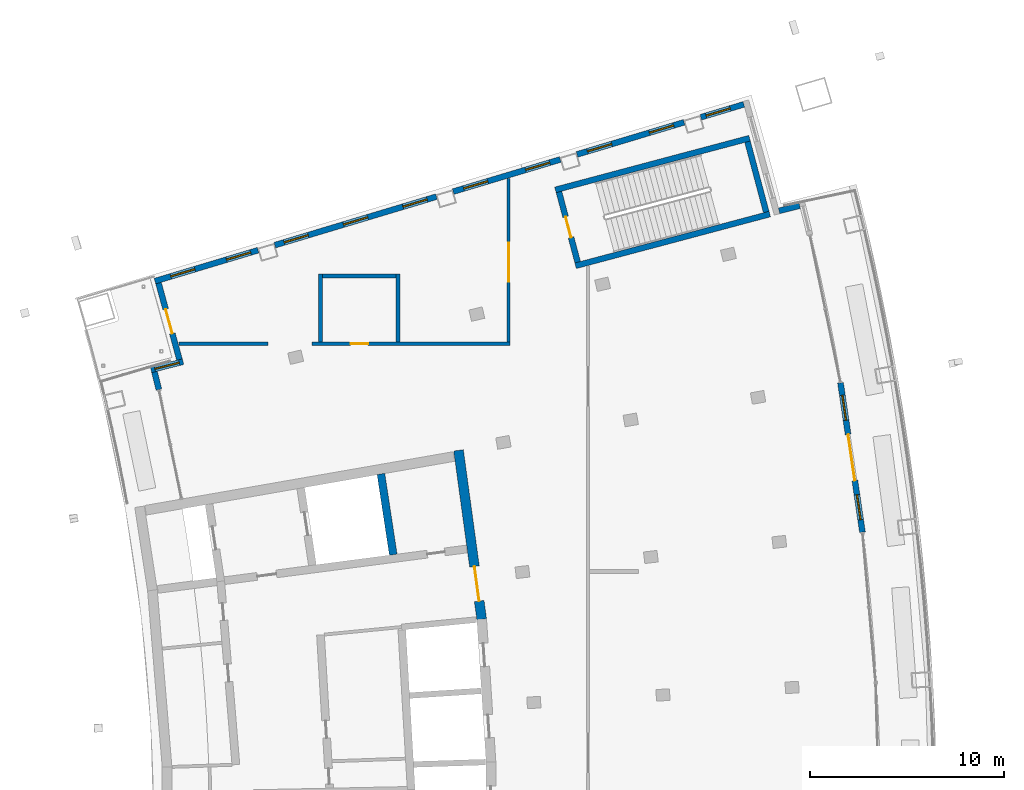
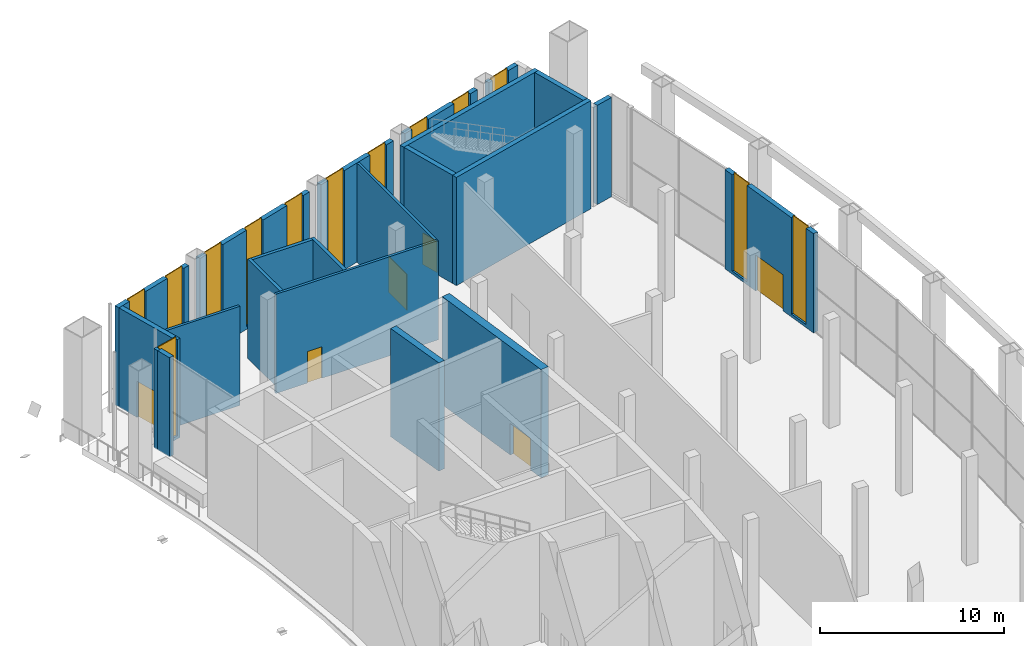
# One storey, part 16 of 25: 22 walls, 13 windows, 6 doors, 19 openings.
"""IFC4 building model written with IfcOpenShell, lengths in metres."""

from ifc_helpers import new_model, si_unit, direction, frame, frame_2d, origin, place, context, subcontext, project, spatial, rectangle, extrude, material, layer, layer_set, type_object, element, fill, save


model = new_model("IFC4")

# Units and contexts
model_context = context("Model", 3, precision=1e-05, world=origin(), true_north=direction((0.0, 1.0)))
body_context = subcontext(model_context, "Body", "Model", "MODEL_VIEW")
ifc_project = project(units=[si_unit("LENGTHUNIT", "METRE"), si_unit("AREAUNIT", "SQUARE_METRE"), si_unit("VOLUMEUNIT", "CUBIC_METRE"), si_unit("PLANEANGLEUNIT", "RADIAN"), si_unit("MASSUNIT", "GRAM", prefix="KILO")], contexts=[model_context])

# Site, building, storey
site_placement = place(None, origin())
site = spatial("IfcSite", under=ifc_project, at=site_placement, CompositionType="ELEMENT")
building_placement = place(site_placement, origin())
building = spatial("IfcBuilding", under=site, at=building_placement, Name="Alderwake Tower", CompositionType="ELEMENT")
storey_placement = place(building_placement, frame((0.0, 0.0, 288.800048828125)))
storey = spatial("IfcBuildingStorey", under=building, at=storey_placement, Name="L72", CompositionType="ELEMENT", Elevation=288.800048828125)

# Wall, opening, door
ifc_material_1 = material(Name="Concrete C70/85", Category="concrete")
ifc_layer_1 = layer(ifc_material_1, 0.5)
ifc_layer_set_1 = layer_set([ifc_layer_1], Name="Core wall outer 500 C70-85")
wall_type_1 = type_object("IfcWallType", Name="Core wall outer 500 C70-85", PredefinedType="SHEAR", material=ifc_layer_set_1)
wall_1_placement = place(storey_placement, frame((31.71728515625, 80.752685546875, 0.0), z_axis=(0.0, 0.0, 1.0), x_axis=(0.1358539401, -0.990728876615, 0.0)))
wall_1 = element("IfcWall", 1, at=wall_1_placement, inside=storey, type_object=wall_type_1, Name="Core wall CW.019", PredefinedType="SHEAR", context=body_context, shape_type="SweptSolid", body=[
    extrude(rectangle(XDim=8.794921875, YDim=0.5, at=frame_2d((4.3974609375, 0.0))), origin(), (0.0, 0.0, 1.0), 7.199951171875),
])
opening_1_placement = place(wall_1_placement, frame((6.0419921875, 0.0, 0.0)))
opening_1 = element("IfcOpeningElement", 2, at=opening_1_placement, cuts=wall_1, Name="Opening C001", PredefinedType="OPENING", context=body_context, shape_type="SweptSolid", body=[
    extrude(rectangle(XDim=1.800048828125, YDim=2.10009765625, at=frame_2d((0.89990234375, 1.050048828125))), frame((0.0, 0.260009765625, 0.0), z_axis=(0.0, -1.0, 0.0), x_axis=(1.0, 0.0, 0.0)), (0.0, 0.0, 1.0), 0.52001953125),
])
ifc_material_2 = material(Name="Steel-framed fire door leaves", Category="steel")
door_type_1 = type_object("IfcDoorType", Name="Core double door 1800 fire-rated", OperationType="DOUBLE_DOOR_SINGLE_SWING", PredefinedType="DOOR", material=ifc_material_2)
door_1_placement = place(opening_1_placement, origin())
door_1 = element("IfcDoor", 3, at=door_1_placement, inside=storey, type_object=door_type_1, Name="Lobby double door", OperationType="DOUBLE_DOOR_SINGLE_SWING", OverallHeight=2.10009765625, OverallWidth=1.800048828125, PredefinedType="DOOR", context=body_context, shape_type="SweptSolid", body=[
    extrude(rectangle(XDim=1.800048828125, YDim=2.10009765625, at=frame_2d((0.89990234375, 1.050048828125))), frame((0.0, 0.02490234375, 0.0), z_axis=(0.0, -1.0, 0.0), x_axis=(1.0, 0.0, 0.0)), (0.0, 0.0, 1.0), 0.050048828125),
])
fill(opening_1, door_1)

# Walls
ifc_material_3 = material(Name="Concrete C70/85", Category="concrete")
ifc_layer_2 = layer(ifc_material_3, 0.39990234375)
ifc_layer_set_2 = layer_set([ifc_layer_2], Name="Core wall spine 400 C70-85")
wall_type_2 = type_object("IfcWallType", Name="Core wall spine 400 C70-85", PredefinedType="SHEAR", material=ifc_layer_set_2)
wall_2_placement = place(storey_placement, frame((28.350830078125, 75.373291015625, 0.0), z_axis=(0.0, 0.0, 1.0), x_axis=(-0.150576223774, 0.988598402201, 0.0)))
element("IfcWall", 4, at=wall_2_placement, inside=storey, type_object=wall_type_2, Name="Core wall CW.001", PredefinedType="SHEAR", context=body_context, shape_type="SweptSolid", body=[
    extrude(rectangle(XDim=4.21240234375, YDim=0.39990234375, at=frame_2d((2.106201171875, 0.0))), origin(), (0.0, 0.0, 1.0), 7.199951171875),
])
ifc_material_4 = material(Name="Concrete C70/85", Category="concrete")
ifc_layer_3 = layer(ifc_material_4, 0.300048828125)
ifc_layer_set_3 = layer_set([ifc_layer_3], Name="Core wall stair enclosure 300 C70-85")
wall_type_3 = type_object("IfcWallType", Name="Core wall stair enclosure 300 C70-85", PredefinedType="SHEAR", material=ifc_layer_set_3)
for number, where, z_axis, x_axis, name in (
    (5, (36.71142578125, 94.182373046875, 0.0), (0.0, 0.0, 1.0), (0.966309214305, 0.257383958996, 0.0), "Core wall CW.082"),
    (6, (37.75390625, 90.268798828125, 0.0), (0.0, 0.0, 1.0), (0.966309214305, 0.257383958996, 0.0), "Core wall CW.084"),
):
    element("IfcWall", number, at=place(storey_placement, frame(where, z_axis=z_axis, x_axis=x_axis)), inside=storey, type_object=wall_type_3, Name=name, PredefinedType="SHEAR", context=body_context, shape_type="SweptSolid", body=[
        extrude(rectangle(XDim=10.360107421875, YDim=0.300048828125, at=frame_2d((5.18017578125, 0.0))), origin(), (0.0, 0.0, 1.0), 7.199951171875),
    ])

# Wall, opening, door
wall_3_placement = place(storey_placement, frame((37.8603515625, 90.452392578125, 0.0), z_axis=(0.0, 0.0, 1.0), x_axis=(-0.257411420208, 0.966301899381, 0.0)))
wall_3 = element("IfcWall", 7, at=wall_3_placement, inside=storey, type_object=wall_type_3, Name="Core wall CW.083", PredefinedType="SHEAR", context=body_context, shape_type="SweptSolid", body=[
    extrude(rectangle(XDim=3.750244140625, YDim=0.300048828125, at=frame_2d((1.875, 0.0))), origin(), (0.0, 0.0, 1.0), 7.199951171875),
])
opening_2_placement = place(wall_3_placement, frame((1.324951171875, 0.0, 0.0)))
opening_2 = element("IfcOpeningElement", 8, at=opening_2_placement, cuts=wall_3, Name="Opening C062", PredefinedType="OPENING", context=body_context, shape_type="SweptSolid", body=[
    extrude(rectangle(XDim=1.10009765625, YDim=2.10009765625, at=frame_2d((0.550048828125, 1.050048828125))), frame((0.0, 0.159912109375, 0.0), z_axis=(0.0, -1.0, 0.0), x_axis=(1.0, 0.0, 0.0)), (0.0, 0.0, 1.0), 0.320068359375),
])
ifc_material_5 = material(Name="Steel-framed fire door leaf", Category="steel")
door_type_2 = type_object("IfcDoorType", Name="Core stair door 1100 fire-rated", OperationType="SINGLE_SWING_LEFT", PredefinedType="DOOR", material=ifc_material_5)
door_2_placement = place(opening_2_placement, origin())
door_2 = element("IfcDoor", 9, at=door_2_placement, inside=storey, type_object=door_type_2, Name="Stair door", OperationType="SINGLE_SWING_RIGHT", OverallHeight=2.10009765625, OverallWidth=1.10009765625, PredefinedType="DOOR", context=body_context, shape_type="SweptSolid", body=[
    extrude(rectangle(XDim=1.10009765625, YDim=2.10009765625, at=frame_2d((0.550048828125, 1.050048828125))), frame((0.0, 0.02490234375, 0.0), z_axis=(0.0, -1.0, 0.0), x_axis=(1.0, 0.0, 0.0)), (0.0, 0.0, 1.0), 0.050048828125),
])
fill(opening_2, door_2)

# Walls
wall_4_placement = place(storey_placement, frame((47.581298828125, 93.041748046875, 0.0), z_axis=(0.0, 0.0, 1.0), x_axis=(-0.257366821694, 0.966313778796, 0.0)))
element("IfcWall", 10, at=wall_4_placement, inside=storey, type_object=wall_type_3, Name="Core wall CW.081", PredefinedType="SHEAR", context=body_context, shape_type="SweptSolid", body=[
    extrude(rectangle(XDim=3.749755859375, YDim=0.300048828125, at=frame_2d((1.875, 0.0))), origin(), (0.0, 0.0, 1.0), 7.199951171875),
])
ifc_material_6 = material(Name="Gypsum board on metal studs, rated")
ifc_layer_4 = layer(ifc_material_6, 0.159912109375)
ifc_layer_set_4 = layer_set([ifc_layer_4], Name="Corridor wall 160")
wall_type_4 = type_object("IfcWallType", Name="Corridor wall 160", PredefinedType="PARTITIONING", material=ifc_layer_set_4)
wall_5_placement = place(storey_placement, frame((21.89111328125, 86.25, 0.0), z_axis=(0.0, 0.0, 1.0), x_axis=(-1.0, 0.0, 0.0)))
element("IfcWall", 11, at=wall_5_placement, inside=storey, type_object=wall_type_4, Name="WL/L72/W10", PredefinedType="PARTITIONING", context=body_context, shape_type="SweptSolid", body=[
    extrude(rectangle(XDim=4.59716796875, YDim=0.159912109375, at=frame_2d((2.298583984375, 0.0))), origin(), (0.0, 0.0, 1.0), 6.599853515625),
])

# Wall, opening, door
wall_6_placement = place(storey_placement, frame((34.37890625, 86.25, 0.0), z_axis=(0.0, 0.0, 1.0), x_axis=(-1.0, 0.0, 0.0)))
wall_6 = element("IfcWall", 12, at=wall_6_placement, inside=storey, type_object=wall_type_4, Name="WL/L72/W13", PredefinedType="PARTITIONING", context=body_context, shape_type="SweptSolid", body=[
    extrude(rectangle(XDim=10.225830078125, YDim=0.159912109375, at=frame_2d((5.11279296875, 0.0))), origin(), (0.0, 0.0, 1.0), 6.599853515625),
])
opening_3_placement = place(wall_6_placement, frame((7.3291015625, 0.0, 0.0)))
opening_3 = element("IfcOpeningElement", 13, at=opening_3_placement, cuts=wall_6, Name="Opening L72-09", PredefinedType="OPENING", context=body_context, shape_type="SweptSolid", body=[
    extrude(rectangle(XDim=0.89990234375, YDim=2.10009765625, at=frame_2d((0.449951171875, 1.050048828125))), frame((0.0, 0.08984375, 0.0), z_axis=(0.0, -1.0, 0.0), x_axis=(1.0, 0.0, 0.0)), (0.0, 0.0, 1.0), 0.179931640625),
])
ifc_material_7 = material(Name="Painted timber leaf", Category="wood")
door_type_3 = type_object("IfcDoorType", Name="Room door 900", OperationType="SINGLE_SWING_LEFT", PredefinedType="DOOR", material=ifc_material_7)
door_3_placement = place(opening_3_placement, origin())
door_3 = element("IfcDoor", 14, at=door_3_placement, inside=storey, type_object=door_type_3, Name="DR/L72/09", OperationType="SINGLE_SWING_LEFT", OverallHeight=2.10009765625, OverallWidth=0.89990234375, PredefinedType="DOOR", context=body_context, shape_type="SweptSolid", body=[
    extrude(rectangle(XDim=0.89990234375, YDim=2.10009765625, at=frame_2d((0.449951171875, 1.050048828125))), frame((0.0, 0.02490234375, 0.0), z_axis=(0.0, -1.0, 0.0), x_axis=(1.0, 0.0, 0.0)), (0.0, 0.0, 1.0), 0.050048828125),
])
fill(opening_3, door_3)

wall_7_placement = place(storey_placement, frame((34.299072265625, 94.77392578125, 0.0), z_axis=(0.0, 0.0, 1.0), x_axis=(0.0, -1.0, 0.0)))
wall_7 = element("IfcWall", 15, at=wall_7_placement, inside=storey, type_object=wall_type_4, Name="WL/L72/W14", PredefinedType="PARTITIONING", context=body_context, shape_type="SweptSolid", body=[
    extrude(rectangle(XDim=8.44384765625, YDim=0.159912109375, at=frame_2d((4.221923828125, 0.0))), origin(), (0.0, 0.0, 1.0), 6.599853515625),
])
opening_4_placement = place(wall_7_placement, frame((3.329833984375, 0.0, 0.0)))
opening_4 = element("IfcOpeningElement", 16, at=opening_4_placement, cuts=wall_7, Name="Opening L72-04", PredefinedType="OPENING", context=body_context, shape_type="SweptSolid", body=[
    extrude(rectangle(XDim=2.0, YDim=2.39990234375, at=frame_2d((1.0, 1.199951171875))), frame((0.0, 0.08984375, 0.0), z_axis=(0.0, -1.0, 0.0), x_axis=(1.0, 0.0, 0.0)), (0.0, 0.0, 1.0), 0.179931640625),
])
ifc_material_8 = material(Name="Timber leaves with glazed panels", Category="wood")
door_type_4 = type_object("IfcDoorType", Name="Hall double door 2000", OperationType="DOUBLE_DOOR_SINGLE_SWING", PredefinedType="DOOR", material=ifc_material_8)
door_4_placement = place(opening_4_placement, origin())
door_4 = element("IfcDoor", 17, at=door_4_placement, inside=storey, type_object=door_type_4, Name="DR/L72/04", OperationType="DOUBLE_DOOR_SINGLE_SWING", OverallHeight=2.39990234375, OverallWidth=2.0, PredefinedType="DOOR", context=body_context, shape_type="SweptSolid", body=[
    extrude(rectangle(XDim=2.0, YDim=2.39990234375, at=frame_2d((1.0, 1.199951171875))), frame((0.0, 0.02490234375, 0.0), z_axis=(0.0, -1.0, 0.0), x_axis=(1.0, 0.0, 0.0)), (0.0, 0.0, 1.0), 0.050048828125),
])
fill(opening_4, door_4)

# Wall
ifc_material_9 = material(Name="Precast concrete C50/60 spandrel panel", Category="concrete")
ifc_layer_5 = layer(ifc_material_9, 0.300048828125)
ifc_layer_set_5 = layer_set([ifc_layer_5], Name="External wall EW1 Precast concrete C50/60 spandrel")
wall_type_5 = type_object("IfcWallType", Name="External wall EW1 Precast concrete C50/60 spandrel", PredefinedType="SOLIDWALL", material=ifc_layer_set_5)
wall_8_placement = place(storey_placement, frame((16.043701171875, 84.795166015625, 0.0), z_axis=(0.0, 0.0, 1.0), x_axis=(0.238511880711, -0.971139579442, 0.0)))
element("IfcWall", 18, at=wall_8_placement, inside=storey, type_object=wall_type_5, Name="External wall 2", PredefinedType="SOLIDWALL", context=body_context, shape_type="SweptSolid", body=[
    extrude(rectangle(XDim=0.942626953125, YDim=0.300048828125, at=frame_2d((0.47119140625, 0.0))), origin(), (0.0, 0.0, 1.0), 6.599853515625),
])

# Wall, openings, door, windows
wall_9_placement = place(storey_placement, frame((52.54296875, 76.532470703125, 0.0), z_axis=(0.0, 0.0, 1.0), x_axis=(-0.145300810995, 0.989387524848, 0.0)))
wall_9 = element("IfcWall", 19, at=wall_9_placement, inside=storey, type_object=wall_type_5, Name="External wall 16", PredefinedType="SOLIDWALL", context=body_context, shape_type="SweptSolid", body=[
    extrude(rectangle(XDim=7.7861328125, YDim=0.300048828125, at=frame_2d((3.89306640625, 0.0))), origin(), (0.0, 0.0, 1.0), 6.599853515625),
])
opening_5_placement = place(wall_9_placement, frame((0.647705078125, 0.0, 0.199951171875)))
opening_5 = element("IfcOpeningElement", 20, at=opening_5_placement, cuts=wall_9, Name="Opening W5", PredefinedType="OPENING", context=body_context, shape_type="SweptSolid", body=[
    extrude(rectangle(XDim=1.300048828125, YDim=6.5, at=frame_2d((0.64990234375, 3.25))), frame((0.0, 0.159912109375, 0.0), z_axis=(0.0, -1.0, 0.0), x_axis=(1.0, 0.0, 0.0)), (0.0, 0.0, 1.0), 0.320068359375),
])
opening_6_placement = place(wall_9_placement, frame((2.693115234375, 0.0, 0.0)))
opening_6 = element("IfcOpeningElement", 21, at=opening_6_placement, cuts=wall_9, Name="Opening D04", PredefinedType="OPENING", context=body_context, shape_type="SweptSolid", body=[
    extrude(rectangle(XDim=2.39990234375, YDim=2.39990234375, at=frame_2d((1.199951171875, 1.199951171875))), frame((0.0, 0.159912109375, 0.0), z_axis=(0.0, -1.0, 0.0), x_axis=(1.0, 0.0, 0.0)), (0.0, 0.0, 1.0), 0.320068359375),
])
opening_7_placement = place(wall_9_placement, frame((5.838623046875, 0.0, 0.199951171875)))
opening_7 = element("IfcOpeningElement", 22, at=opening_7_placement, cuts=wall_9, Name="Opening W5", PredefinedType="OPENING", context=body_context, shape_type="SweptSolid", body=[
    extrude(rectangle(XDim=1.300048828125, YDim=6.5, at=frame_2d((0.64990234375, 3.25))), frame((0.0, 0.159912109375, 0.0), z_axis=(0.0, -1.0, 0.0), x_axis=(1.0, 0.0, 0.0)), (0.0, 0.0, 1.0), 0.320068359375),
])
ifc_material_10 = material(Name="Bronze tinted glass in aluminium frame", Category="aluminium")
door_type_5 = type_object("IfcDoorType", Name="Garden door GD sliding", OperationType="DOUBLE_DOOR_SINGLE_SWING", PredefinedType="DOOR", material=ifc_material_10)
door_5_placement = place(opening_6_placement, origin())
door_5 = element("IfcDoor", 23, at=door_5_placement, inside=storey, type_object=door_type_5, Name="Door D04", OperationType="DOUBLE_DOOR_SINGLE_SWING", OverallHeight=2.39990234375, OverallWidth=2.39990234375, PredefinedType="DOOR", context=body_context, shape_type="SweptSolid", body=[
    extrude(rectangle(XDim=2.39990234375, YDim=2.39990234375, at=frame_2d((1.199951171875, 1.199951171875))), frame((0.0, 0.02490234375, 0.0), z_axis=(0.0, -1.0, 0.0), x_axis=(1.0, 0.0, 0.0)), (0.0, 0.0, 1.0), 0.050048828125),
])
fill(opening_6, door_5)
ifc_material_11 = material(Name="Bronze tinted glass in aluminium frame", Category="aluminium")
window_type = type_object("IfcWindowType", Name="Window W5 garden floor tall", PartitioningType="SINGLE_PANEL", PredefinedType="WINDOW", material=ifc_material_11)
window_1_placement = place(opening_5_placement, origin())
window_1 = element("IfcWindow", 24, at=window_1_placement, inside=storey, type_object=window_type, Name="Window W5 garden floor tall", OverallHeight=6.5, OverallWidth=1.300048828125, PartitioningType="SINGLE_PANEL", PredefinedType="WINDOW", context=body_context, shape_type="SweptSolid", body=[
    extrude(rectangle(XDim=1.300048828125, YDim=6.5, at=frame_2d((0.64990234375, 3.25))), frame((0.0, 0.030029296875, 0.0), z_axis=(0.0, -1.0, 0.0), x_axis=(1.0, 0.0, 0.0)), (0.0, 0.0, 1.0), 0.06005859375),
])
fill(opening_5, window_1)
window_2_placement = place(opening_7_placement, origin())
window_2 = element("IfcWindow", 25, at=window_2_placement, inside=storey, type_object=window_type, Name="Window W5 garden floor tall", OverallHeight=6.5, OverallWidth=1.300048828125, PartitioningType="SINGLE_PANEL", PredefinedType="WINDOW", context=body_context, shape_type="SweptSolid", body=[
    extrude(rectangle(XDim=1.300048828125, YDim=6.5, at=frame_2d((0.64990234375, 3.25))), frame((0.0, 0.030029296875, 0.0), z_axis=(0.0, -1.0, 0.0), x_axis=(1.0, 0.0, 0.0)), (0.0, 0.0, 1.0), 0.06005859375),
])
fill(opening_7, window_2)

# Wall, opening, window
ifc_material_12 = material(Name="Bronze metal cladding on lightweight framing")
ifc_layer_6 = layer(ifc_material_12, 0.300048828125)
ifc_layer_set_6 = layer_set([ifc_layer_6], Name="External wall EW2 bronze metal cladding")
wall_type_6 = type_object("IfcWallType", Name="External wall EW2 bronze metal cladding", PredefinedType="SOLIDWALL", material=ifc_layer_set_6)
wall_10_placement = place(storey_placement, frame((17.51611328125, 85.32275390625, 0.0), z_axis=(0.0, 0.0, 1.0), x_axis=(-0.969396971861, -0.245498494794, 0.0)))
wall_10 = element("IfcWall", 26, at=wall_10_placement, inside=storey, type_object=wall_type_6, Name="External wall 1", PredefinedType="SOLIDWALL", context=body_context, shape_type="SweptSolid", body=[
    extrude(rectangle(XDim=1.70556640625, YDim=0.300048828125, at=frame_2d((0.852783203125, 0.0))), origin(), (0.0, 0.0, 1.0), 6.599853515625),
])
opening_8_placement = place(wall_10_placement, frame((0.202880859375, 0.0, 0.199951171875)))
opening_8 = element("IfcOpeningElement", 27, at=opening_8_placement, cuts=wall_10, Name="Opening W5", PredefinedType="OPENING", context=body_context, shape_type="SweptSolid", body=[
    extrude(rectangle(XDim=1.300048828125, YDim=6.5, at=frame_2d((0.64990234375, 3.25))), frame((0.0, 0.159912109375, 0.0), z_axis=(0.0, -1.0, 0.0), x_axis=(1.0, 0.0, 0.0)), (0.0, 0.0, 1.0), 0.320068359375),
])
window_3_placement = place(opening_8_placement, origin())
window_3 = element("IfcWindow", 28, at=window_3_placement, inside=storey, type_object=window_type, Name="Window W5 garden floor tall", OverallHeight=6.5, OverallWidth=1.300048828125, PartitioningType="SINGLE_PANEL", PredefinedType="WINDOW", context=body_context, shape_type="SweptSolid", body=[
    extrude(rectangle(XDim=1.300048828125, YDim=6.5, at=frame_2d((0.64990234375, 3.25))), frame((0.0, 0.030029296875, 0.0), z_axis=(0.0, -1.0, 0.0), x_axis=(1.0, 0.0, 0.0)), (0.0, 0.0, 1.0), 0.06005859375),
])
fill(opening_8, window_3)

# Wall
wall_11_placement = place(storey_placement, frame((49.307861328125, 93.369873046875, 0.0), z_axis=(0.0, 0.0, 1.0), x_axis=(-0.969416374533, -0.24542186697, 0.0)))
element("IfcWall", 29, at=wall_11_placement, inside=storey, type_object=wall_type_6, Name="External wall 18", PredefinedType="SOLIDWALL", context=body_context, shape_type="SweptSolid", body=[
    extrude(rectangle(XDim=1.09423828125, YDim=0.300048828125, at=frame_2d((0.547119140625, 0.0))), origin(), (0.0, 0.0, 1.0), 6.599853515625),
])

# Wall, opening, window
wall_12_placement = place(storey_placement, frame((46.4267578125, 98.591552734375, 0.0), z_axis=(0.0, 0.0, 1.0), x_axis=(-0.957773977811, -0.287522185977, 0.0)))
wall_12 = element("IfcWall", 30, at=wall_12_placement, inside=storey, type_object=wall_type_6, Name="External wall 20", PredefinedType="SOLIDWALL", context=body_context, shape_type="SweptSolid", body=[
    extrude(rectangle(XDim=2.31298828125, YDim=0.300048828125, at=frame_2d((1.156494140625, 0.0))), origin(), (0.0, 0.0, 1.0), 6.599853515625),
])
opening_9_placement = place(wall_12_placement, frame((0.732421875, 0.0, 0.199951171875)))
opening_9 = element("IfcOpeningElement", 31, at=opening_9_placement, cuts=wall_12, Name="Opening W5", PredefinedType="OPENING", context=body_context, shape_type="SweptSolid", body=[
    extrude(rectangle(XDim=1.300048828125, YDim=6.5, at=frame_2d((0.64990234375, 3.25))), frame((0.0, 0.159912109375, 0.0), z_axis=(0.0, -1.0, 0.0), x_axis=(1.0, 0.0, 0.0)), (0.0, 0.0, 1.0), 0.320068359375),
])
window_4_placement = place(opening_9_placement, origin())
window_4 = element("IfcWindow", 32, at=window_4_placement, inside=storey, type_object=window_type, Name="Window W5 garden floor tall", OverallHeight=6.5, OverallWidth=1.300048828125, PartitioningType="SINGLE_PANEL", PredefinedType="WINDOW", context=body_context, shape_type="SweptSolid", body=[
    extrude(rectangle(XDim=1.300048828125, YDim=6.5, at=frame_2d((0.64990234375, 3.25))), frame((0.0, 0.030029296875, 0.0), z_axis=(0.0, -1.0, 0.0), x_axis=(1.0, 0.0, 0.0)), (0.0, 0.0, 1.0), 0.06005859375),
])
fill(opening_9, window_4)

# Wall, openings, windows
wall_13_placement = place(storey_placement, frame((43.34619140625, 97.66650390625, 0.0), z_axis=(0.0, 0.0, 1.0), x_axis=(-0.957776135082, -0.287514999726, 0.0)))
wall_13 = element("IfcWall", 33, at=wall_13_placement, inside=storey, type_object=wall_type_6, Name="External wall 21", PredefinedType="SOLIDWALL", context=body_context, shape_type="SweptSolid", body=[
    extrude(rectangle(XDim=5.76318359375, YDim=0.300048828125, at=frame_2d((2.881591796875, 0.0))), origin(), (0.0, 0.0, 1.0), 6.599853515625),
])
opening_10_placement = place(wall_13_placement, frame((0.56494140625, 0.0, 0.199951171875)))
opening_10 = element("IfcOpeningElement", 34, at=opening_10_placement, cuts=wall_13, Name="Opening W5", PredefinedType="OPENING", context=body_context, shape_type="SweptSolid", body=[
    extrude(rectangle(XDim=1.300048828125, YDim=6.5, at=frame_2d((0.64990234375, 3.25))), frame((0.0, 0.159912109375, 0.0), z_axis=(0.0, -1.0, 0.0), x_axis=(1.0, 0.0, 0.0)), (0.0, 0.0, 1.0), 0.320068359375),
])
opening_11_placement = place(wall_13_placement, frame((3.8984375, 0.0, 0.199951171875)))
opening_11 = element("IfcOpeningElement", 35, at=opening_11_placement, cuts=wall_13, Name="Opening W5", PredefinedType="OPENING", context=body_context, shape_type="SweptSolid", body=[
    extrude(rectangle(XDim=1.300048828125, YDim=6.5, at=frame_2d((0.64990234375, 3.25))), frame((0.0, 0.159912109375, 0.0), z_axis=(0.0, -1.0, 0.0), x_axis=(1.0, 0.0, 0.0)), (0.0, 0.0, 1.0), 0.320068359375),
])
window_5_placement = place(opening_10_placement, origin())
window_5 = element("IfcWindow", 36, at=window_5_placement, inside=storey, type_object=window_type, Name="Window W5 garden floor tall", OverallHeight=6.5, OverallWidth=1.300048828125, PartitioningType="SINGLE_PANEL", PredefinedType="WINDOW", context=body_context, shape_type="SweptSolid", body=[
    extrude(rectangle(XDim=1.300048828125, YDim=6.5, at=frame_2d((0.64990234375, 3.25))), frame((0.0, 0.030029296875, 0.0), z_axis=(0.0, -1.0, 0.0), x_axis=(1.0, 0.0, 0.0)), (0.0, 0.0, 1.0), 0.06005859375),
])
fill(opening_10, window_5)
window_6_placement = place(opening_11_placement, origin())
window_6 = element("IfcWindow", 37, at=window_6_placement, inside=storey, type_object=window_type, Name="Window W5 garden floor tall", OverallHeight=6.5, OverallWidth=1.300048828125, PartitioningType="SINGLE_PANEL", PredefinedType="WINDOW", context=body_context, shape_type="SweptSolid", body=[
    extrude(rectangle(XDim=1.300048828125, YDim=6.5, at=frame_2d((0.64990234375, 3.25))), frame((0.0, 0.030029296875, 0.0), z_axis=(0.0, -1.0, 0.0), x_axis=(1.0, 0.0, 0.0)), (0.0, 0.0, 1.0), 0.06005859375),
])
fill(opening_11, window_6)

wall_14_placement = place(storey_placement, frame((36.961181640625, 95.74951171875, 0.0), z_axis=(0.0, 0.0, 1.0), x_axis=(-0.957767971424, -0.287542193278, 0.0)))
wall_14 = element("IfcWall", 38, at=wall_14_placement, inside=storey, type_object=wall_type_6, Name="External wall 22", PredefinedType="SOLIDWALL", context=body_context, shape_type="SweptSolid", body=[
    extrude(rectangle(XDim=5.763427734375, YDim=0.300048828125, at=frame_2d((2.8818359375, 0.0))), origin(), (0.0, 0.0, 1.0), 6.599853515625),
])
opening_12_placement = place(wall_14_placement, frame((0.56494140625, 0.0, 0.199951171875)))
opening_12 = element("IfcOpeningElement", 39, at=opening_12_placement, cuts=wall_14, Name="Opening W5", PredefinedType="OPENING", context=body_context, shape_type="SweptSolid", body=[
    extrude(rectangle(XDim=1.300048828125, YDim=6.5, at=frame_2d((0.64990234375, 3.25))), frame((0.0, 0.159912109375, 0.0), z_axis=(0.0, -1.0, 0.0), x_axis=(1.0, 0.0, 0.0)), (0.0, 0.0, 1.0), 0.320068359375),
])
opening_13_placement = place(wall_14_placement, frame((3.8984375, 0.0, 0.199951171875)))
opening_13 = element("IfcOpeningElement", 40, at=opening_13_placement, cuts=wall_14, Name="Opening W5", PredefinedType="OPENING", context=body_context, shape_type="SweptSolid", body=[
    extrude(rectangle(XDim=1.300048828125, YDim=6.5, at=frame_2d((0.64990234375, 3.25))), frame((0.0, 0.159912109375, 0.0), z_axis=(0.0, -1.0, 0.0), x_axis=(1.0, 0.0, 0.0)), (0.0, 0.0, 1.0), 0.320068359375),
])
window_7_placement = place(opening_12_placement, origin())
window_7 = element("IfcWindow", 41, at=window_7_placement, inside=storey, type_object=window_type, Name="Window W5 garden floor tall", OverallHeight=6.5, OverallWidth=1.300048828125, PartitioningType="SINGLE_PANEL", PredefinedType="WINDOW", context=body_context, shape_type="SweptSolid", body=[
    extrude(rectangle(XDim=1.300048828125, YDim=6.5, at=frame_2d((0.64990234375, 3.25))), frame((0.0, 0.030029296875, 0.0), z_axis=(0.0, -1.0, 0.0), x_axis=(1.0, 0.0, 0.0)), (0.0, 0.0, 1.0), 0.06005859375),
])
fill(opening_12, window_7)
window_8_placement = place(opening_13_placement, origin())
window_8 = element("IfcWindow", 42, at=window_8_placement, inside=storey, type_object=window_type, Name="Window W5 garden floor tall", OverallHeight=6.5, OverallWidth=1.300048828125, PartitioningType="SINGLE_PANEL", PredefinedType="WINDOW", context=body_context, shape_type="SweptSolid", body=[
    extrude(rectangle(XDim=1.300048828125, YDim=6.5, at=frame_2d((0.64990234375, 3.25))), frame((0.0, 0.030029296875, 0.0), z_axis=(0.0, -1.0, 0.0), x_axis=(1.0, 0.0, 0.0)), (0.0, 0.0, 1.0), 0.06005859375),
])
fill(opening_13, window_8)

wall_15_placement = place(storey_placement, frame((30.57568359375, 93.83251953125, 0.0), z_axis=(0.0, 0.0, 1.0), x_axis=(-0.957762902908, -0.287559075345, 0.0)))
wall_15 = element("IfcWall", 43, at=wall_15_placement, inside=storey, type_object=wall_type_6, Name="External wall 23", PredefinedType="SOLIDWALL", context=body_context, shape_type="SweptSolid", body=[
    extrude(rectangle(XDim=8.696533203125, YDim=0.300048828125, at=frame_2d((4.34814453125, 0.0))), origin(), (0.0, 0.0, 1.0), 6.599853515625),
])
opening_14_placement = place(wall_15_placement, frame((0.498291015625, 0.0, 0.199951171875)))
opening_14 = element("IfcOpeningElement", 44, at=opening_14_placement, cuts=wall_15, Name="Opening W5", PredefinedType="OPENING", context=body_context, shape_type="SweptSolid", body=[
    extrude(rectangle(XDim=1.300048828125, YDim=6.5, at=frame_2d((0.64990234375, 3.25))), frame((0.0, 0.159912109375, 0.0), z_axis=(0.0, -1.0, 0.0), x_axis=(1.0, 0.0, 0.0)), (0.0, 0.0, 1.0), 0.320068359375),
])
opening_15_placement = place(wall_15_placement, frame((3.6982421875, 0.0, 0.199951171875)))
opening_15 = element("IfcOpeningElement", 45, at=opening_15_placement, cuts=wall_15, Name="Opening W5", PredefinedType="OPENING", context=body_context, shape_type="SweptSolid", body=[
    extrude(rectangle(XDim=1.300048828125, YDim=6.5, at=frame_2d((0.64990234375, 3.25))), frame((0.0, 0.159912109375, 0.0), z_axis=(0.0, -1.0, 0.0), x_axis=(1.0, 0.0, 0.0)), (0.0, 0.0, 1.0), 0.320068359375),
])
opening_16_placement = place(wall_15_placement, frame((6.898193359375, 0.0, 0.199951171875)))
opening_16 = element("IfcOpeningElement", 46, at=opening_16_placement, cuts=wall_15, Name="Opening W5", PredefinedType="OPENING", context=body_context, shape_type="SweptSolid", body=[
    extrude(rectangle(XDim=1.300048828125, YDim=6.5, at=frame_2d((0.64990234375, 3.25))), frame((0.0, 0.159912109375, 0.0), z_axis=(0.0, -1.0, 0.0), x_axis=(1.0, 0.0, 0.0)), (0.0, 0.0, 1.0), 0.320068359375),
])
window_9_placement = place(opening_14_placement, origin())
window_9 = element("IfcWindow", 47, at=window_9_placement, inside=storey, type_object=window_type, Name="Window W5 garden floor tall", OverallHeight=6.5, OverallWidth=1.300048828125, PartitioningType="SINGLE_PANEL", PredefinedType="WINDOW", context=body_context, shape_type="SweptSolid", body=[
    extrude(rectangle(XDim=1.300048828125, YDim=6.5, at=frame_2d((0.64990234375, 3.25))), frame((0.0, 0.030029296875, 0.0), z_axis=(0.0, -1.0, 0.0), x_axis=(1.0, 0.0, 0.0)), (0.0, 0.0, 1.0), 0.06005859375),
])
fill(opening_14, window_9)
window_10_placement = place(opening_15_placement, origin())
window_10 = element("IfcWindow", 48, at=window_10_placement, inside=storey, type_object=window_type, Name="Window W5 garden floor tall", OverallHeight=6.5, OverallWidth=1.300048828125, PartitioningType="SINGLE_PANEL", PredefinedType="WINDOW", context=body_context, shape_type="SweptSolid", body=[
    extrude(rectangle(XDim=1.300048828125, YDim=6.5, at=frame_2d((0.64990234375, 3.25))), frame((0.0, 0.030029296875, 0.0), z_axis=(0.0, -1.0, 0.0), x_axis=(1.0, 0.0, 0.0)), (0.0, 0.0, 1.0), 0.06005859375),
])
fill(opening_15, window_10)
window_11_placement = place(opening_16_placement, origin())
window_11 = element("IfcWindow", 49, at=window_11_placement, inside=storey, type_object=window_type, Name="Window W5 garden floor tall", OverallHeight=6.5, OverallWidth=1.300048828125, PartitioningType="SINGLE_PANEL", PredefinedType="WINDOW", context=body_context, shape_type="SweptSolid", body=[
    extrude(rectangle(XDim=1.300048828125, YDim=6.5, at=frame_2d((0.64990234375, 3.25))), frame((0.0, 0.030029296875, 0.0), z_axis=(0.0, -1.0, 0.0), x_axis=(1.0, 0.0, 0.0)), (0.0, 0.0, 1.0), 0.06005859375),
])
fill(opening_16, window_11)

wall_16_placement = place(storey_placement, frame((21.380859375, 91.072021484375, 0.0), z_axis=(0.0, 0.0, 1.0), x_axis=(-0.957769358194, -0.287537574074, 0.0)))
wall_16 = element("IfcWall", 50, at=wall_16_placement, inside=storey, type_object=wall_type_6, Name="External wall 24", PredefinedType="SOLIDWALL", context=body_context, shape_type="SweptSolid", body=[
    extrude(rectangle(XDim=5.549560546875, YDim=0.300048828125, at=frame_2d((2.77490234375, 0.0))), origin(), (0.0, 0.0, 1.0), 6.599853515625),
])
opening_17_placement = place(wall_16_placement, frame((0.3984375, 0.0, 0.199951171875)))
opening_17 = element("IfcOpeningElement", 51, at=opening_17_placement, cuts=wall_16, Name="Opening W5", PredefinedType="OPENING", context=body_context, shape_type="SweptSolid", body=[
    extrude(rectangle(XDim=1.300048828125, YDim=6.5, at=frame_2d((0.64990234375, 3.25))), frame((0.0, 0.159912109375, 0.0), z_axis=(0.0, -1.0, 0.0), x_axis=(1.0, 0.0, 0.0)), (0.0, 0.0, 1.0), 0.320068359375),
])
opening_18_placement = place(wall_16_placement, frame((3.399169921875, 0.0, 0.199951171875)))
opening_18 = element("IfcOpeningElement", 52, at=opening_18_placement, cuts=wall_16, Name="Opening W5", PredefinedType="OPENING", context=body_context, shape_type="SweptSolid", body=[
    extrude(rectangle(XDim=1.300048828125, YDim=6.5, at=frame_2d((0.64990234375, 3.25))), frame((0.0, 0.159912109375, 0.0), z_axis=(0.0, -1.0, 0.0), x_axis=(1.0, 0.0, 0.0)), (0.0, 0.0, 1.0), 0.320068359375),
])
window_12_placement = place(opening_17_placement, origin())
window_12 = element("IfcWindow", 53, at=window_12_placement, inside=storey, type_object=window_type, Name="Window W5 garden floor tall", OverallHeight=6.5, OverallWidth=1.300048828125, PartitioningType="SINGLE_PANEL", PredefinedType="WINDOW", context=body_context, shape_type="SweptSolid", body=[
    extrude(rectangle(XDim=1.300048828125, YDim=6.5, at=frame_2d((0.64990234375, 3.25))), frame((0.0, 0.030029296875, 0.0), z_axis=(0.0, -1.0, 0.0), x_axis=(1.0, 0.0, 0.0)), (0.0, 0.0, 1.0), 0.06005859375),
])
fill(opening_17, window_12)
window_13_placement = place(opening_18_placement, origin())
window_13 = element("IfcWindow", 54, at=window_13_placement, inside=storey, type_object=window_type, Name="Window W5 garden floor tall", OverallHeight=6.5, OverallWidth=1.300048828125, PartitioningType="SINGLE_PANEL", PredefinedType="WINDOW", context=body_context, shape_type="SweptSolid", body=[
    extrude(rectangle(XDim=1.300048828125, YDim=6.5, at=frame_2d((0.64990234375, 3.25))), frame((0.0, 0.030029296875, 0.0), z_axis=(0.0, -1.0, 0.0), x_axis=(1.0, 0.0, 0.0)), (0.0, 0.0, 1.0), 0.06005859375),
])
fill(opening_18, window_13)

# Wall, opening, door
wall_17_placement = place(storey_placement, frame((16.248779296875, 89.374755859375, 0.0), z_axis=(0.0, 0.0, 1.0), x_axis=(0.264607053468, -0.964356317579, 0.0)))
wall_17 = element("IfcWall", 55, at=wall_17_placement, inside=storey, type_object=wall_type_6, Name="External wall 25", PredefinedType="SOLIDWALL", context=body_context, shape_type="SweptSolid", body=[
    extrude(rectangle(XDim=4.090087890625, YDim=0.300048828125, at=frame_2d((2.044921875, 0.0))), origin(), (0.0, 0.0, 1.0), 6.599853515625),
])
opening_19_placement = place(wall_17_placement, frame((1.39501953125, 0.0, 0.0)))
opening_19 = element("IfcOpeningElement", 56, at=opening_19_placement, cuts=wall_17, Name="Opening D05", PredefinedType="OPENING", context=body_context, shape_type="SweptSolid", body=[
    extrude(rectangle(XDim=1.300048828125, YDim=2.39990234375, at=frame_2d((0.64990234375, 1.199951171875))), frame((0.0, 0.159912109375, 0.0), z_axis=(0.0, -1.0, 0.0), x_axis=(1.0, 0.0, 0.0)), (0.0, 0.0, 1.0), 0.320068359375),
])
ifc_material_13 = material(Name="Bronze tinted glass in aluminium frame", Category="aluminium")
door_type_6 = type_object("IfcDoorType", Name="Balcony door BD sliding", OperationType="SLIDING_TO_LEFT", PredefinedType="DOOR", material=ifc_material_13)
door_6_placement = place(opening_19_placement, origin())
door_6 = element("IfcDoor", 57, at=door_6_placement, inside=storey, type_object=door_type_6, Name="Door D05", OperationType="SLIDING_TO_LEFT", OverallHeight=2.39990234375, OverallWidth=1.300048828125, PredefinedType="DOOR", context=body_context, shape_type="SweptSolid", body=[
    extrude(rectangle(XDim=1.300048828125, YDim=2.39990234375, at=frame_2d((0.64990234375, 1.199951171875))), frame((0.0, 0.02490234375, 0.0), z_axis=(0.0, -1.0, 0.0), x_axis=(1.0, 0.0, 0.0)), (0.0, 0.0, 1.0), 0.050048828125),
])
fill(opening_19, door_6)

# Walls
ifc_material_14 = material(Name="Dense block masonry wall", Category="masonry")
ifc_layer_7 = layer(ifc_material_14, 0.199951171875)
ifc_layer_set_7 = layer_set([ifc_layer_7], Name="Party wall 200")
wall_type_7 = type_object("IfcWallType", Name="Party wall 200", PredefinedType="SOLIDWALL", material=ifc_layer_set_7)
for number, where, z_axis, x_axis, name in (
    (58, (24.60009765625, 89.85107421875, 0.0), (0.0, 0.0, 1.0), (0.0, -1.0, 0.0), "WL/L72/W03"),
    (59, (28.59912109375, 86.330078125, 0.0), (0.0, 0.0, 1.0), (0.0, 1.0, 0.0), "WL/L72/W04"),
):
    element("IfcWall", number, at=place(storey_placement, frame(where, z_axis=z_axis, x_axis=x_axis)), inside=storey, type_object=wall_type_7, Name=name, PredefinedType="SOLIDWALL", context=body_context, shape_type="SweptSolid", body=[
        extrude(rectangle(XDim=3.52099609375, YDim=0.199951171875, at=frame_2d((1.760498046875, 0.0))), origin(), (0.0, 0.0, 1.0), 6.599853515625),
    ])
wall_18_placement = place(storey_placement, frame((28.4990234375, 89.7509765625, 0.0), z_axis=(0.0, 0.0, 1.0), x_axis=(-1.0, 0.0, 0.0)))
element("IfcWall", 60, at=wall_18_placement, inside=storey, type_object=wall_type_7, Name="WL/L72/W05", PredefinedType="SOLIDWALL", context=body_context, shape_type="SweptSolid", body=[
    extrude(rectangle(XDim=3.799072265625, YDim=0.199951171875, at=frame_2d((1.8994140625, 0.0))), origin(), (0.0, 0.0, 1.0), 6.599853515625),
])

save(model, "model.ifc")
